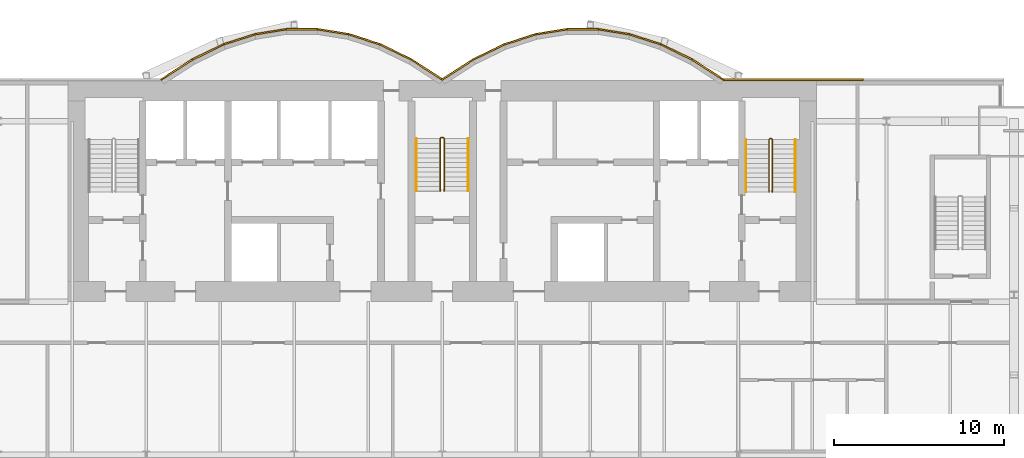
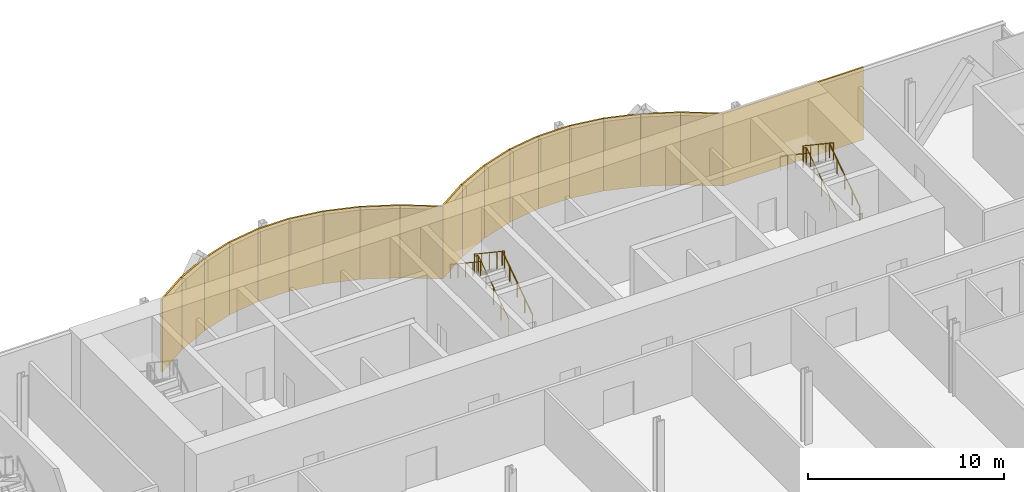
# One storey, part 20 of 21: 19 coverings, 6 railings.
"""IFC4 building model written with IfcOpenShell, lengths in metres."""

from ifc_helpers import new_model, si_unit, direction, frame, origin, origin_2d, place, context, subcontext, project, spatial, rectangle, circle, extrude, material, layer, layer_set, type_object, element, save


model = new_model("IFC4")

# Units and contexts
model_context = context("Model", 3, precision=1e-05, world=origin(), true_north=direction((0.0, 1.0)))
body_context = subcontext(model_context, "Body", "Model", "MODEL_VIEW")
ifc_project = project(units=[si_unit("LENGTHUNIT", "METRE"), si_unit("AREAUNIT", "SQUARE_METRE"), si_unit("VOLUMEUNIT", "CUBIC_METRE"), si_unit("PLANEANGLEUNIT", "RADIAN"), si_unit("MASSUNIT", "GRAM", prefix="KILO")], contexts=[model_context])

# Site, building, storey
site_placement = place(None, origin())
site = spatial("IfcSite", under=ifc_project, at=site_placement, CompositionType="ELEMENT")
building_placement = place(site_placement, origin())
building = spatial("IfcBuilding", under=site, at=building_placement, Name="Bicima Exchange Tower", CompositionType="ELEMENT")
storey_placement = place(building_placement, frame((0.0, 0.0, 48.5)))
storey = spatial("IfcBuildingStorey", under=building, at=storey_placement, Name="L09", CompositionType="ELEMENT", Elevation=48.5)

# Coverings
ifc_material_1 = material(Name="Bronze metal cladding")
ifc_layer_1 = layer(ifc_material_1, 0.004)
ifc_material_2 = material(Name="Ventilated cavity")
ifc_layer_2 = layer(ifc_material_2, 0.06)
ifc_material_3 = material(Name="Galvanised steel rail and mineral wool", Category="steel")
ifc_layer_3 = layer(ifc_material_3, 0.036)
ifc_layer_set = layer_set([ifc_layer_1, ifc_layer_2, ifc_layer_3], Name="Ventilated cavity")
covering_type = type_object("IfcCoveringType", Name="Bronze metal cladding panel 100", PredefinedType="CLADDING", material=ifc_layer_set)
covering_1_placement = place(storey_placement, frame((20.625, 0.050048828125, -0.14990234375), z_axis=(0.0, 0.0, 1.0), x_axis=(-1.0, 0.0, 0.0)))
element("IfcCovering", 1, at=covering_1_placement, inside=storey, type_object=covering_type, Name="Bronze cladding L09 1.2", PredefinedType="CLADDING", context=body_context, shape_type="SweptSolid", body=[
    extrude(rectangle(XDim=8.25, YDim=0.10009765625, at=origin_2d()), origin(), (0.0, 0.0, 1.0), 4.5),
])
covering_2_placement = place(storey_placement, frame((15.610595703125, 0.634521484375, -0.14990234375), z_axis=(0.0, 0.0, 1.0), x_axis=(-0.839790466384, 0.542910648791, 0.0)))
element("IfcCovering", 2, at=covering_2_placement, inside=storey, type_object=covering_type, Name="Bronze cladding L09 2.1", PredefinedType="CLADDING", context=body_context, shape_type="SweptSolid", body=[
    extrude(rectangle(XDim=2.18310546875, YDim=0.10009765625, at=origin_2d()), origin(), (0.0, 0.0, 1.0), 4.5),
])
covering_3_placement = place(storey_placement, frame((13.771728515625, 1.674560546875, -0.14990234375), z_axis=(0.0, 0.0, 1.0), x_axis=(-0.899818346812, 0.436264762204, 0.0)))
element("IfcCovering", 3, at=covering_3_placement, inside=storey, type_object=covering_type, Name="Bronze cladding L09 3.1", PredefinedType="CLADDING", context=body_context, shape_type="SweptSolid", body=[
    extrude(rectangle(XDim=2.03759765625, YDim=0.10009765625, at=origin_2d()), origin(), (0.0, 0.0, 1.0), 4.5),
])
covering_4_placement = place(storey_placement, frame((11.931884765625, 2.41796875, -0.14990234375), z_axis=(0.0, 0.0, 1.0), x_axis=(-0.951524642381, 0.307572519808, 0.0)))
element("IfcCovering", 4, at=covering_4_placement, inside=storey, type_object=covering_type, Name="Bronze cladding L09 4.1", PredefinedType="CLADDING", context=body_context, shape_type="SweptSolid", body=[
    extrude(rectangle(XDim=1.9267578125, YDim=0.10009765625, at=origin_2d()), origin(), (0.0, 0.0, 1.0), 4.5),
])
covering_5_placement = place(storey_placement, frame((10.09130859375, 2.8642578125, -0.14990234375), z_axis=(0.0, 0.0, 1.0), x_axis=(-0.987189786347, 0.159550386184, 0.0)))
element("IfcCovering", 5, at=covering_5_placement, inside=storey, type_object=covering_type, Name="Bronze cladding L09 5.1", PredefinedType="CLADDING", context=body_context, shape_type="SweptSolid", body=[
    extrude(rectangle(XDim=1.857177734375, YDim=0.10009765625, at=origin_2d()), origin(), (0.0, 0.0, 1.0), 4.5),
])
covering_6_placement = place(storey_placement, frame((8.25, 3.012939453125, -0.14990234375), z_axis=(0.0, 0.0, 1.0), x_axis=(-1.0, 0.0, 0.0)))
element("IfcCovering", 6, at=covering_6_placement, inside=storey, type_object=covering_type, Name="Bronze cladding L09 6.1", PredefinedType="CLADDING", context=body_context, shape_type="SweptSolid", body=[
    extrude(rectangle(XDim=1.83349609375, YDim=0.10009765625, at=origin_2d()), origin(), (0.0, 0.0, 1.0), 4.5),
])
covering_7_placement = place(storey_placement, frame((6.40869140625, 2.8642578125, -0.14990234375), z_axis=(0.0, 0.0, 1.0), x_axis=(-0.987189786347, -0.159550386184, 0.0)))
element("IfcCovering", 7, at=covering_7_placement, inside=storey, type_object=covering_type, Name="Bronze cladding L09 7.1", PredefinedType="CLADDING", context=body_context, shape_type="SweptSolid", body=[
    extrude(rectangle(XDim=1.857177734375, YDim=0.10009765625, at=origin_2d()), origin(), (0.0, 0.0, 1.0), 4.5),
])
covering_8_placement = place(storey_placement, frame((4.568115234375, 2.41796875, -0.14990234375), z_axis=(0.0, 0.0, 1.0), x_axis=(-0.951524642381, -0.307572519808, 0.0)))
element("IfcCovering", 8, at=covering_8_placement, inside=storey, type_object=covering_type, Name="Bronze cladding L09 8.1", PredefinedType="CLADDING", context=body_context, shape_type="SweptSolid", body=[
    extrude(rectangle(XDim=1.9267578125, YDim=0.10009765625, at=origin_2d()), origin(), (0.0, 0.0, 1.0), 4.5),
])
covering_9_placement = place(storey_placement, frame((2.728271484375, 1.674560546875, -0.14990234375), z_axis=(0.0, 0.0, 1.0), x_axis=(-0.899818346812, -0.436264762204, 0.0)))
element("IfcCovering", 9, at=covering_9_placement, inside=storey, type_object=covering_type, Name="Bronze cladding L09 9.1", PredefinedType="CLADDING", context=body_context, shape_type="SweptSolid", body=[
    extrude(rectangle(XDim=2.03759765625, YDim=0.10009765625, at=origin_2d()), origin(), (0.0, 0.0, 1.0), 4.5),
])
for number, where, z_axis, x_axis, name in (
    (10, (0.889404296875, 0.634521484375, -0.14990234375), (0.0, 0.0, 1.0), (-0.839790466384, -0.542910648791, 0.0), "Bronze cladding L09 10.1"),
    (11, (-0.889404296875, 0.634521484375, -0.14990234375), (0.0, 0.0, 1.0), (-0.839790466384, 0.542910648791, 0.0), "Bronze cladding L09 11.1"),
):
    element("IfcCovering", number, at=place(storey_placement, frame(where, z_axis=z_axis, x_axis=x_axis)), inside=storey, type_object=covering_type, Name=name, PredefinedType="CLADDING", context=body_context, shape_type="SweptSolid", body=[
        extrude(rectangle(XDim=2.18310546875, YDim=0.10009765625, at=origin_2d()), origin(), (0.0, 0.0, 1.0), 4.5),
    ])
covering_10_placement = place(storey_placement, frame((-2.728271484375, 1.674560546875, -0.14990234375), z_axis=(0.0, 0.0, 1.0), x_axis=(-0.899818346812, 0.436264762204, 0.0)))
element("IfcCovering", 12, at=covering_10_placement, inside=storey, type_object=covering_type, Name="Bronze cladding L09 12.1", PredefinedType="CLADDING", context=body_context, shape_type="SweptSolid", body=[
    extrude(rectangle(XDim=2.03759765625, YDim=0.10009765625, at=origin_2d()), origin(), (0.0, 0.0, 1.0), 4.5),
])
covering_11_placement = place(storey_placement, frame((-4.568115234375, 2.41796875, -0.14990234375), z_axis=(0.0, 0.0, 1.0), x_axis=(-0.951524642381, 0.307572519808, 0.0)))
element("IfcCovering", 13, at=covering_11_placement, inside=storey, type_object=covering_type, Name="Bronze cladding L09 13.1", PredefinedType="CLADDING", context=body_context, shape_type="SweptSolid", body=[
    extrude(rectangle(XDim=1.9267578125, YDim=0.10009765625, at=origin_2d()), origin(), (0.0, 0.0, 1.0), 4.5),
])
covering_12_placement = place(storey_placement, frame((-6.40869140625, 2.8642578125, -0.14990234375), z_axis=(0.0, 0.0, 1.0), x_axis=(-0.987189786347, 0.159550386184, 0.0)))
element("IfcCovering", 14, at=covering_12_placement, inside=storey, type_object=covering_type, Name="Bronze cladding L09 14.1", PredefinedType="CLADDING", context=body_context, shape_type="SweptSolid", body=[
    extrude(rectangle(XDim=1.857177734375, YDim=0.10009765625, at=origin_2d()), origin(), (0.0, 0.0, 1.0), 4.5),
])
covering_13_placement = place(storey_placement, frame((-8.25, 3.012939453125, -0.14990234375), z_axis=(0.0, 0.0, 1.0), x_axis=(-1.0, 0.0, 0.0)))
element("IfcCovering", 15, at=covering_13_placement, inside=storey, type_object=covering_type, Name="Bronze cladding L09 15.1", PredefinedType="CLADDING", context=body_context, shape_type="SweptSolid", body=[
    extrude(rectangle(XDim=1.83349609375, YDim=0.10009765625, at=origin_2d()), origin(), (0.0, 0.0, 1.0), 4.5),
])
covering_14_placement = place(storey_placement, frame((-10.09130859375, 2.8642578125, -0.14990234375), z_axis=(0.0, 0.0, 1.0), x_axis=(-0.987189786347, -0.159550386184, 0.0)))
element("IfcCovering", 16, at=covering_14_placement, inside=storey, type_object=covering_type, Name="Bronze cladding L09 16.1", PredefinedType="CLADDING", context=body_context, shape_type="SweptSolid", body=[
    extrude(rectangle(XDim=1.857177734375, YDim=0.10009765625, at=origin_2d()), origin(), (0.0, 0.0, 1.0), 4.5),
])
covering_15_placement = place(storey_placement, frame((-11.931884765625, 2.41796875, -0.14990234375), z_axis=(0.0, 0.0, 1.0), x_axis=(-0.951524642381, -0.307572519808, 0.0)))
element("IfcCovering", 17, at=covering_15_placement, inside=storey, type_object=covering_type, Name="Bronze cladding L09 17.1", PredefinedType="CLADDING", context=body_context, shape_type="SweptSolid", body=[
    extrude(rectangle(XDim=1.9267578125, YDim=0.10009765625, at=origin_2d()), origin(), (0.0, 0.0, 1.0), 4.5),
])
covering_16_placement = place(storey_placement, frame((-13.771728515625, 1.674560546875, -0.14990234375), z_axis=(0.0, 0.0, 1.0), x_axis=(-0.899818346812, -0.436264762204, 0.0)))
element("IfcCovering", 18, at=covering_16_placement, inside=storey, type_object=covering_type, Name="Bronze cladding L09 18.1", PredefinedType="CLADDING", context=body_context, shape_type="SweptSolid", body=[
    extrude(rectangle(XDim=2.03759765625, YDim=0.10009765625, at=origin_2d()), origin(), (0.0, 0.0, 1.0), 4.5),
])
covering_17_placement = place(storey_placement, frame((-15.610595703125, 0.634521484375, -0.14990234375), z_axis=(0.0, 0.0, 1.0), x_axis=(-0.839790466384, -0.542910648791, 0.0)))
element("IfcCovering", 19, at=covering_17_placement, inside=storey, type_object=covering_type, Name="Bronze cladding L09 19.1", PredefinedType="CLADDING", context=body_context, shape_type="SweptSolid", body=[
    extrude(rectangle(XDim=2.18310546875, YDim=0.10009765625, at=origin_2d()), origin(), (0.0, 0.0, 1.0), 4.5),
])

# Railings
ifc_material_4 = material(Name="Stainless steel", Category="steel")
railing_type_1 = type_object("IfcRailingType", Name="Stair guard 1100", PredefinedType="GUARDRAIL", material=ifc_material_4)
railing_1_placement = place(storey_placement, frame((0.125, -6.5, 0.1875)))
element("IfcRailing", 20, at=railing_1_placement, inside=storey, type_object=railing_type_1, Name="L09 ST-C stair guard 1", PredefinedType="GUARDRAIL", context=body_context, shape_type="SweptSolid", body=[
    extrude(circle(Radius=0.02392578125, at=origin_2d()), frame((0.0, 0.0, 1.076171875), z_axis=(0.0, 0.830913701846, 0.55640131208), x_axis=(-1.0, 0.0, 0.0)), (0.0, 0.0, 1.0), 3.706787109375),
    extrude(circle(Radius=0.02392578125, at=origin_2d()), frame((0.0, 3.080078125, 3.138671875), z_axis=(-0.708833529934, 0.705375805398, 0.0), x_axis=(-0.705375805398, -0.708833529934, 0.0)), (0.0, 0.0, 1.0), 0.070556640625),
    extrude(circle(Radius=0.02392578125, at=origin_2d()), frame((-0.050048828125, 3.1298828125, 3.138671875), z_axis=(-1.0, 0.0, 0.0), x_axis=(0.0, -1.0, 0.0)), (0.0, 0.0, 1.0), 0.14990234375),
    extrude(circle(Radius=0.02392578125, at=origin_2d()), frame((-0.199951171875, 3.1298828125, 3.138671875), z_axis=(-0.249802250048, -0.248583702486, 0.935844527007), x_axis=(0.705375805398, -0.708833529934, 0.0)), (0.0, 0.0, 1.0), 0.200439453125),
    extrude(circle(Radius=0.02392578125, at=origin_2d()), frame((-0.25, 3.080078125, 3.326171875), z_axis=(0.0, -0.830913701846, 0.55640131208), x_axis=(1.0, 0.0, 0.0)), (0.0, 0.0, 1.0), 3.706787109375),
    extrude(circle(Radius=0.02099609375, at=origin_2d()), origin(), (0.0, 0.0, 1.0), 1.052001953125),
    extrude(circle(Radius=0.02099609375, at=origin_2d()), frame((0.0, 0.77001953125, 0.515625)), (0.0, 0.0, 1.0), 1.052001953125),
    extrude(circle(Radius=0.02099609375, at=origin_2d()), frame((0.0, 1.5400390625, 1.03125)), (0.0, 0.0, 1.0), 1.052001953125),
    extrude(circle(Radius=0.02099609375, at=origin_2d()), frame((0.0, 2.31005859375, 1.546875)), (0.0, 0.0, 1.0), 1.052001953125),
    extrude(circle(Radius=0.02099609375, at=origin_2d()), frame((0.0, 3.080078125, 2.0625)), (0.0, 0.0, 1.0), 1.052001953125),
    extrude(circle(Radius=0.02099609375, at=origin_2d()), frame((-0.050048828125, 3.1298828125, 2.0625)), (0.0, 0.0, 1.0), 1.052001953125),
    extrude(circle(Radius=0.02099609375, at=origin_2d()), frame((-0.199951171875, 3.1298828125, 2.0625)), (0.0, 0.0, 1.0), 1.052001953125),
    extrude(circle(Radius=0.02099609375, at=origin_2d()), frame((-0.25, 3.080078125, 2.25)), (0.0, 0.0, 1.0), 1.052001953125),
    extrude(circle(Radius=0.02099609375, at=origin_2d()), frame((-0.25, 2.31005859375, 2.765625)), (0.0, 0.0, 1.0), 1.052001953125),
    extrude(circle(Radius=0.02099609375, at=origin_2d()), frame((-0.25, 1.5400390625, 3.28125)), (0.0, 0.0, 1.0), 1.052001953125),
    extrude(circle(Radius=0.02099609375, at=origin_2d()), frame((-0.25, 0.77001953125, 3.796875)), (0.0, 0.0, 1.0), 1.052001953125),
    extrude(circle(Radius=0.02099609375, at=origin_2d()), frame((-0.25, 0.0, 4.3125)), (0.0, 0.0, 1.0), 1.052001953125),
])
railing_2_placement = place(storey_placement, frame((19.39990234375, -6.550048828125, 0.1875)))
element("IfcRailing", 21, at=railing_2_placement, inside=storey, type_object=railing_type_1, Name="L09 ST-E stair guard 1", PredefinedType="GUARDRAIL", context=body_context, shape_type="SweptSolid", body=[
    extrude(circle(Radius=0.02392578125, at=origin_2d()), frame((0.0, 0.0, 1.076171875), z_axis=(0.0, 0.830913701846, 0.55640131208), x_axis=(-1.0, 0.0, 0.0)), (0.0, 0.0, 1.0), 3.706787109375),
    extrude(circle(Radius=0.02392578125, at=origin_2d()), frame((0.0, 3.080078125, 3.138671875), z_axis=(-0.705375805398, 0.708833529934, 0.0), x_axis=(-0.708833529934, -0.705375805398, 0.0)), (0.0, 0.0, 1.0), 0.070556640625),
    extrude(circle(Radius=0.02392578125, at=origin_2d()), frame((-0.0498046875, 3.130126953125, 3.138671875), z_axis=(-1.0, 0.0, 0.0), x_axis=(0.0, -1.0, 0.0)), (0.0, 0.0, 1.0), 0.10009765625),
    extrude(circle(Radius=0.02392578125, at=origin_2d()), frame((-0.14990234375, 3.130126953125, 3.138671875), z_axis=(-0.249726431254, -0.249726431254, 0.935560483917), x_axis=(0.707106781187, -0.707106781187, 0.0)), (0.0, 0.0, 1.0), 0.200439453125),
    extrude(circle(Radius=0.02392578125, at=origin_2d()), frame((-0.199951171875, 3.080078125, 3.326171875), z_axis=(0.0, -0.830913701846, 0.55640131208), x_axis=(1.0, 0.0, 0.0)), (0.0, 0.0, 1.0), 3.706787109375),
    extrude(circle(Radius=0.02099609375, at=origin_2d()), origin(), (0.0, 0.0, 1.0), 1.052001953125),
    extrude(circle(Radius=0.02099609375, at=origin_2d()), frame((0.0, 0.77001953125, 0.515625)), (0.0, 0.0, 1.0), 1.052001953125),
    extrude(circle(Radius=0.02099609375, at=origin_2d()), frame((0.0, 1.5400390625, 1.03125)), (0.0, 0.0, 1.0), 1.052001953125),
    extrude(circle(Radius=0.02099609375, at=origin_2d()), frame((0.0, 2.31005859375, 1.546875)), (0.0, 0.0, 1.0), 1.052001953125),
    extrude(circle(Radius=0.02099609375, at=origin_2d()), frame((0.0, 3.080078125, 2.0625)), (0.0, 0.0, 1.0), 1.052001953125),
    extrude(circle(Radius=0.02099609375, at=origin_2d()), frame((-0.0498046875, 3.130126953125, 2.0625)), (0.0, 0.0, 1.0), 1.052001953125),
    extrude(circle(Radius=0.02099609375, at=origin_2d()), frame((-0.14990234375, 3.130126953125, 2.0625)), (0.0, 0.0, 1.0), 1.052001953125),
    extrude(circle(Radius=0.02099609375, at=origin_2d()), frame((-0.199951171875, 3.080078125, 2.25)), (0.0, 0.0, 1.0), 1.052001953125),
    extrude(circle(Radius=0.02099609375, at=origin_2d()), frame((-0.199951171875, 2.31005859375, 2.765625)), (0.0, 0.0, 1.0), 1.052001953125),
    extrude(circle(Radius=0.02099609375, at=origin_2d()), frame((-0.199951171875, 1.5400390625, 3.28125)), (0.0, 0.0, 1.0), 1.052001953125),
    extrude(circle(Radius=0.02099609375, at=origin_2d()), frame((-0.199951171875, 0.77001953125, 3.796875)), (0.0, 0.0, 1.0), 1.052001953125),
    extrude(circle(Radius=0.02099609375, at=origin_2d()), frame((-0.199951171875, 0.0, 4.3125)), (0.0, 0.0, 1.0), 1.052001953125),
])
railing_type_2 = type_object("IfcRailingType", Name="Stair handrail 900", PredefinedType="HANDRAIL", material=ifc_material_4)
railing_3_placement = place(storey_placement, frame((1.52490234375, -6.5, 0.1875)))
element("IfcRailing", 22, at=railing_3_placement, inside=storey, type_object=railing_type_2, Name="L09 ST-C stair handrail 1", PredefinedType="HANDRAIL", context=body_context, shape_type="SweptSolid", body=[
    extrude(circle(Radius=0.02392578125, at=origin_2d()), frame((0.0, 0.0, 0.8759765625), z_axis=(0.0, 0.830913701846, 0.55640131208), x_axis=(-1.0, 0.0, 0.0)), (0.0, 0.0, 1.0), 3.706787109375),
    extrude(circle(Radius=0.02099609375, at=origin_2d()), origin(), (0.0, 0.0, 1.0), 0.851806640625),
    extrude(circle(Radius=0.02099609375, at=origin_2d()), frame((0.0, 0.77001953125, 0.515625)), (0.0, 0.0, 1.0), 0.851806640625),
    extrude(circle(Radius=0.02099609375, at=origin_2d()), frame((0.0, 1.5400390625, 1.03125)), (0.0, 0.0, 1.0), 0.851806640625),
    extrude(circle(Radius=0.02099609375, at=origin_2d()), frame((0.0, 2.31005859375, 1.546875)), (0.0, 0.0, 1.0), 0.851806640625),
    extrude(circle(Radius=0.02099609375, at=origin_2d()), frame((0.0, 3.080078125, 2.0625)), (0.0, 0.0, 1.0), 0.851806640625),
])
railing_4_placement = place(storey_placement, frame((-1.52490234375, -3.419921875, 2.47900390625)))
element("IfcRailing", 23, at=railing_4_placement, inside=storey, type_object=railing_type_2, Name="L09 ST-C stair handrail 2", PredefinedType="HANDRAIL", context=body_context, shape_type="SweptSolid", body=[
    extrude(circle(Radius=0.02392578125, at=origin_2d()), frame((0.0, 0.0, 0.8759765625), z_axis=(0.0, -0.830913701846, 0.55640131208), x_axis=(1.0, 0.0, 0.0)), (0.0, 0.0, 1.0), 3.706787109375),
    extrude(circle(Radius=0.02099609375, at=origin_2d()), origin(), (0.0, 0.0, 1.0), 0.851806640625),
    extrude(circle(Radius=0.02099609375, at=origin_2d()), frame((0.0, -0.77001953125, 0.515625)), (0.0, 0.0, 1.0), 0.851806640625),
    extrude(circle(Radius=0.02099609375, at=origin_2d()), frame((0.0, -1.5400390625, 1.03125)), (0.0, 0.0, 1.0), 0.851806640625),
    extrude(circle(Radius=0.02099609375, at=origin_2d()), frame((0.0, -2.31005859375, 1.546875)), (0.0, 0.0, 1.0), 0.851806640625),
    extrude(circle(Radius=0.02099609375, at=origin_2d()), frame((0.0, -3.080078125, 2.0625)), (0.0, 0.0, 1.0), 0.851806640625),
])
railing_5_placement = place(storey_placement, frame((20.75, -6.550048828125, 0.1875)))
element("IfcRailing", 24, at=railing_5_placement, inside=storey, type_object=railing_type_2, Name="L09 ST-E stair handrail 1", PredefinedType="HANDRAIL", context=body_context, shape_type="SweptSolid", body=[
    extrude(circle(Radius=0.02392578125, at=origin_2d()), frame((0.0, 0.0, 0.8759765625), z_axis=(0.0, 0.830913701846, 0.55640131208), x_axis=(-1.0, 0.0, 0.0)), (0.0, 0.0, 1.0), 3.706787109375),
    extrude(circle(Radius=0.02099609375, at=origin_2d()), origin(), (0.0, 0.0, 1.0), 0.851806640625),
    extrude(circle(Radius=0.02099609375, at=origin_2d()), frame((0.0, 0.77001953125, 0.515625)), (0.0, 0.0, 1.0), 0.851806640625),
    extrude(circle(Radius=0.02099609375, at=origin_2d()), frame((0.0, 1.5400390625, 1.03125)), (0.0, 0.0, 1.0), 0.851806640625),
    extrude(circle(Radius=0.02099609375, at=origin_2d()), frame((0.0, 2.31005859375, 1.546875)), (0.0, 0.0, 1.0), 0.851806640625),
    extrude(circle(Radius=0.02099609375, at=origin_2d()), frame((0.0, 3.080078125, 2.0625)), (0.0, 0.0, 1.0), 0.851806640625),
])
railing_6_placement = place(storey_placement, frame((17.85009765625, -3.469970703125, 2.47900390625)))
element("IfcRailing", 25, at=railing_6_placement, inside=storey, type_object=railing_type_2, Name="L09 ST-E stair handrail 2", PredefinedType="HANDRAIL", context=body_context, shape_type="SweptSolid", body=[
    extrude(circle(Radius=0.02392578125, at=origin_2d()), frame((0.0, 0.0, 0.8759765625), z_axis=(0.0, -0.830913701846, 0.55640131208), x_axis=(1.0, 0.0, 0.0)), (0.0, 0.0, 1.0), 3.706787109375),
    extrude(circle(Radius=0.02099609375, at=origin_2d()), origin(), (0.0, 0.0, 1.0), 0.851806640625),
    extrude(circle(Radius=0.02099609375, at=origin_2d()), frame((0.0, -0.77001953125, 0.515625)), (0.0, 0.0, 1.0), 0.851806640625),
    extrude(circle(Radius=0.02099609375, at=origin_2d()), frame((0.0, -1.5400390625, 1.03125)), (0.0, 0.0, 1.0), 0.851806640625),
    extrude(circle(Radius=0.02099609375, at=origin_2d()), frame((0.0, -2.31005859375, 1.546875)), (0.0, 0.0, 1.0), 0.851806640625),
    extrude(circle(Radius=0.02099609375, at=origin_2d()), frame((0.0, -3.080078125, 2.0625)), (0.0, 0.0, 1.0), 0.851806640625),
])

save(model, "model.ifc")
